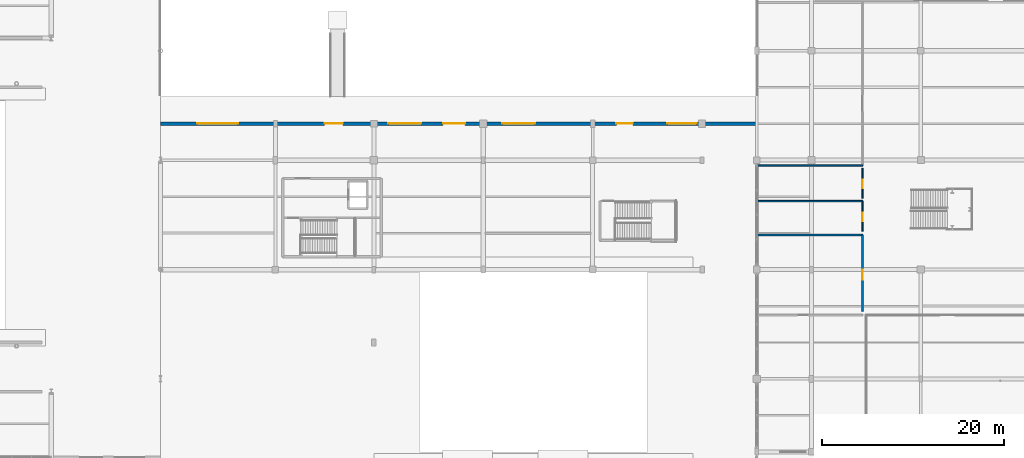
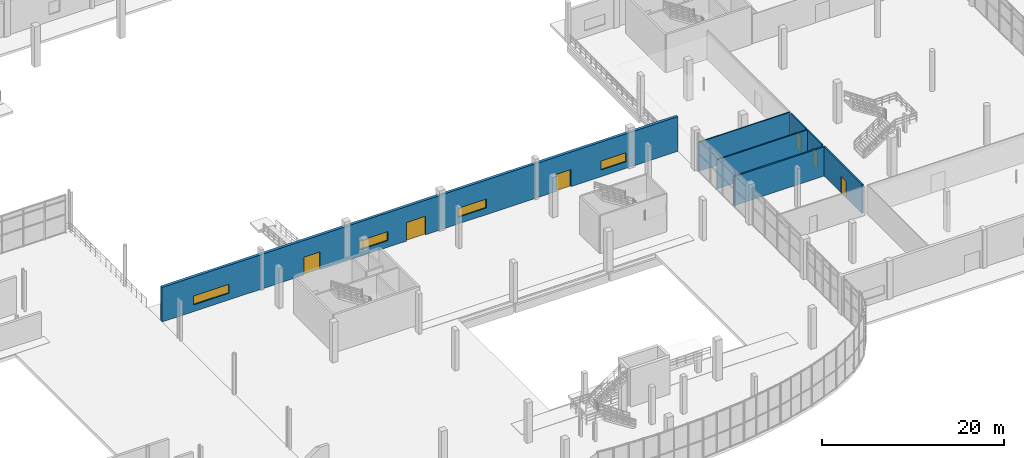
# One storey, part 65 of 85: 7 walls, 6 doors, 4 windows, 10 openings.
"""IFC4 building model written with IfcOpenShell, lengths in metres."""

from ifc_helpers import new_model, si_unit, direction, frame, frame_2d, origin, place, context, subcontext, project, spatial, rectangle, extrude, material, layer, layer_set, type_object, element, fill, save


model = new_model("IFC4")

# Units and contexts
model_context = context("Model", 3, precision=1e-05, world=origin(), true_north=direction((0.0, 1.0)))
body_context = subcontext(model_context, "Body", "Model", "MODEL_VIEW")
ifc_project = project(units=[si_unit("LENGTHUNIT", "METRE"), si_unit("AREAUNIT", "SQUARE_METRE"), si_unit("VOLUMEUNIT", "CUBIC_METRE"), si_unit("PLANEANGLEUNIT", "RADIAN"), si_unit("MASSUNIT", "GRAM", prefix="KILO"), si_unit("THERMODYNAMICTEMPERATUREUNIT", "KELVIN"), si_unit("POWERUNIT", "WATT")], contexts=[model_context])

# Site, building, storey
site_placement = place(None, origin())
site = spatial("IfcSite", under=ifc_project, at=site_placement, CompositionType="ELEMENT")
building_placement = place(site_placement, origin())
building = spatial("IfcBuilding", under=site, at=building_placement, Name="Solmara Park Aquatics Centre", CompositionType="ELEMENT")
storey_placement = place(building_placement, origin())
storey = spatial("IfcBuildingStorey", under=building, at=storey_placement, Name="L00", CompositionType="ELEMENT", Elevation=0.0)

# Wall, openings, doors, windows
ifc_material_1 = material(Name="Insulated Limestone Render Wall", Category="masonry")
ifc_layer_1 = layer(ifc_material_1, 0.35009765625, Name="Insulated Limestone Render Wall")
ifc_layer_set_1 = layer_set([ifc_layer_1], Name="Insulated Limestone Render Wall")
wall_type_1 = type_object("IfcWallType", Name="ARC-WL-EXT350", PredefinedType="SOLIDWALL", material=ifc_layer_set_1)
wall_1_placement = place(storey_placement, frame((96.60009765625, 52.60009765625, 0.0), z_axis=(0.0, 0.0, 1.0), x_axis=(1.0, 0.0, 0.0)))
wall_1 = element("IfcWall", 1, at=wall_1_placement, inside=storey, type_object=wall_type_1, Name="Exterior Facade Wall EW-L00-003", PredefinedType="SOLIDWALL", context=body_context, shape_type="SweptSolid", body=[
    extrude(rectangle(XDim=65.39990234375, YDim=0.35009765625, at=frame_2d((32.699951171875, 0.0))), origin(), (0.0, 0.0, 1.0), 4.639892578125),
])
opening_1_placement = place(wall_1_placement, frame((18.0, 0.0, 0.0)))
opening_1 = element("IfcOpeningElement", 2, at=opening_1_placement, cuts=wall_1, Name="Opening D-02", PredefinedType="OPENING", context=body_context, shape_type="SweptSolid", body=[
    extrude(rectangle(XDim=2.0, YDim=2.39990234375, at=frame_2d((1.0, 1.199951171875))), frame((0.0, 0.18505859375, 0.0), z_axis=(0.0, -1.0, 0.0), x_axis=(1.0, 0.0, 0.0)), (0.0, 0.0, 1.0), 0.3701171875),
])
opening_2_placement = place(wall_1_placement, frame((31.0, 0.0, 0.0)))
opening_2 = element("IfcOpeningElement", 3, at=opening_2_placement, cuts=wall_1, Name="Opening D-01", PredefinedType="OPENING", context=body_context, shape_type="SweptSolid", body=[
    extrude(rectangle(XDim=2.39990234375, YDim=2.5, at=frame_2d((1.199951171875, 1.25))), frame((0.0, 0.18505859375, 0.0), z_axis=(0.0, -1.0, 0.0), x_axis=(1.0, 0.0, 0.0)), (0.0, 0.0, 1.0), 0.3701171875),
])
opening_3_placement = place(wall_1_placement, frame((50.0, 0.0, 0.0)))
opening_3 = element("IfcOpeningElement", 4, at=opening_3_placement, cuts=wall_1, Name="Opening D-03", PredefinedType="OPENING", context=body_context, shape_type="SweptSolid", body=[
    extrude(rectangle(XDim=1.800048828125, YDim=2.300048828125, at=frame_2d((0.89990234375, 1.14990234375))), frame((0.0, 0.18505859375, 0.0), z_axis=(0.0, -1.0, 0.0), x_axis=(1.0, 0.0, 0.0)), (0.0, 0.0, 1.0), 0.3701171875),
])
opening_4_placement = place(wall_1_placement, frame((4.0, 0.0, 0.89990234375)))
opening_4 = element("IfcOpeningElement", 5, at=opening_4_placement, cuts=wall_1, Name="Opening W-01", PredefinedType="OPENING", context=body_context, shape_type="SweptSolid", body=[
    extrude(rectangle(XDim=4.5, YDim=1.199951171875, at=frame_2d((2.25, 0.60009765625))), frame((0.0, 0.18505859375, 0.0), z_axis=(0.0, -1.0, 0.0), x_axis=(1.0, 0.0, 0.0)), (0.0, 0.0, 1.0), 0.3701171875),
])
opening_5_placement = place(wall_1_placement, frame((25.0, 0.0, 0.89990234375)))
opening_5 = element("IfcOpeningElement", 6, at=opening_5_placement, cuts=wall_1, Name="Opening W-03", PredefinedType="OPENING", context=body_context, shape_type="SweptSolid", body=[
    extrude(rectangle(XDim=3.60009765625, YDim=1.199951171875, at=frame_2d((1.800048828125, 0.60009765625))), frame((0.0, 0.18505859375, 0.0), z_axis=(0.0, -1.0, 0.0), x_axis=(1.0, 0.0, 0.0)), (0.0, 0.0, 1.0), 0.3701171875),
])
opening_6_placement = place(wall_1_placement, frame((37.5, 0.0, 0.89990234375)))
opening_6 = element("IfcOpeningElement", 7, at=opening_6_placement, cuts=wall_1, Name="Opening W-03", PredefinedType="OPENING", context=body_context, shape_type="SweptSolid", body=[
    extrude(rectangle(XDim=3.60009765625, YDim=1.199951171875, at=frame_2d((1.800048828125, 0.60009765625))), frame((0.0, 0.18505859375, 0.0), z_axis=(0.0, -1.0, 0.0), x_axis=(1.0, 0.0, 0.0)), (0.0, 0.0, 1.0), 0.3701171875),
])
opening_7_placement = place(wall_1_placement, frame((55.60009765625, 0.0, 0.89990234375)))
opening_7 = element("IfcOpeningElement", 8, at=opening_7_placement, cuts=wall_1, Name="Opening W-04", PredefinedType="OPENING", context=body_context, shape_type="SweptSolid", body=[
    extrude(rectangle(XDim=3.199951171875, YDim=1.199951171875, at=frame_2d((1.60009765625, 0.60009765625))), frame((0.0, 0.18505859375, 0.0), z_axis=(0.0, -1.0, 0.0), x_axis=(1.0, 0.0, 0.0)), (0.0, 0.0, 1.0), 0.3701171875),
])
ifc_material_2 = material(Name="Thermally Broken Powder-Coated Aluminium and Laminated Glass", Category="aluminium")
door_type_1 = type_object("IfcDoorType", Name="ARC-DR-EXT180x230", OperationType="DOUBLE_DOOR_SINGLE_SWING", PredefinedType="DOOR", material=ifc_material_2)
door_1_placement = place(opening_3_placement, origin())
door_1 = element("IfcDoor", 9, at=door_1_placement, inside=storey, type_object=door_type_1, Name="Diving Pavilion ST-09 Final Exit (EX-05)", OperationType="DOUBLE_DOOR_SINGLE_SWING", OverallHeight=2.300048828125, OverallWidth=1.800048828125, PredefinedType="DOOR", context=body_context, shape_type="SweptSolid", body=[
    extrude(rectangle(XDim=1.800048828125, YDim=2.300048828125, at=frame_2d((0.89990234375, 1.14990234375))), frame((0.0, 0.02490234375, 0.0), z_axis=(0.0, -1.0, 0.0), x_axis=(1.0, 0.0, 0.0)), (0.0, 0.0, 1.0), 0.050048828125),
])
fill(opening_3, door_1)
door_type_2 = type_object("IfcDoorType", Name="ARC-DR-EXT200x240", OperationType="DOUBLE_DOOR_SINGLE_SWING", PredefinedType="DOOR", material=ifc_material_2)
door_2_placement = place(opening_1_placement, origin())
door_2 = element("IfcDoor", 10, at=door_2_placement, inside=storey, type_object=door_type_2, Name="Diving Deck Garden Court Exit (EX-03)", OperationType="DOUBLE_DOOR_SINGLE_SWING", OverallHeight=2.39990234375, OverallWidth=2.0, PredefinedType="DOOR", context=body_context, shape_type="SweptSolid", body=[
    extrude(rectangle(XDim=2.0, YDim=2.39990234375, at=frame_2d((1.0, 1.199951171875))), frame((0.0, 0.02490234375, 0.0), z_axis=(0.0, -1.0, 0.0), x_axis=(1.0, 0.0, 0.0)), (0.0, 0.0, 1.0), 0.050048828125),
])
fill(opening_1, door_2)
door_type_3 = type_object("IfcDoorType", Name="ARC-DR-EXT240x250", OperationType="DOUBLE_DOOR_SINGLE_SWING", PredefinedType="DOOR", material=ifc_material_2)
door_3_placement = place(opening_2_placement, origin())
door_3 = element("IfcDoor", 11, at=door_3_placement, inside=storey, type_object=door_type_3, Name="Diving Spectator Concourse North Exit (EX-04)", OperationType="DOUBLE_DOOR_SINGLE_SWING", OverallHeight=2.5, OverallWidth=2.39990234375, PredefinedType="DOOR", context=body_context, shape_type="SweptSolid", body=[
    extrude(rectangle(XDim=2.39990234375, YDim=2.5, at=frame_2d((1.199951171875, 1.25))), frame((0.0, 0.02490234375, 0.0), z_axis=(0.0, -1.0, 0.0), x_axis=(1.0, 0.0, 0.0)), (0.0, 0.0, 1.0), 0.050048828125),
])
fill(opening_2, door_3)
ifc_material_3 = material(Name="Thermally Broken Aluminium and Low-E Double Glazing", Category="aluminium")
window_type_1 = type_object("IfcWindowType", Name="ARC-WN-320x120", PartitioningType="DOUBLE_PANEL_HORIZONTAL", PredefinedType="WINDOW", material=ifc_material_3)
window_1_placement = place(opening_7_placement, origin())
window_1 = element("IfcWindow", 12, at=window_1_placement, inside=storey, type_object=window_type_1, Name="Ribbon Window WN-006", OverallHeight=1.199951171875, OverallWidth=3.199951171875, PartitioningType="DOUBLE_PANEL_HORIZONTAL", PredefinedType="WINDOW", context=body_context, shape_type="SweptSolid", body=[
    extrude(rectangle(XDim=3.199951171875, YDim=1.199951171875, at=frame_2d((1.60009765625, 0.60009765625))), frame((0.0, 0.030029296875, 0.0), z_axis=(0.0, -1.0, 0.0), x_axis=(1.0, 0.0, 0.0)), (0.0, 0.0, 1.0), 0.06005859375),
])
fill(opening_7, window_1)
window_type_2 = type_object("IfcWindowType", Name="ARC-WN-360x120", PartitioningType="TRIPLE_PANEL_HORIZONTAL", PredefinedType="WINDOW", material=ifc_material_3)
window_2_placement = place(opening_5_placement, origin())
window_2 = element("IfcWindow", 13, at=window_2_placement, inside=storey, type_object=window_type_2, Name="Ribbon Window WN-004", OverallHeight=1.199951171875, OverallWidth=3.60009765625, PartitioningType="TRIPLE_PANEL_HORIZONTAL", PredefinedType="WINDOW", context=body_context, shape_type="SweptSolid", body=[
    extrude(rectangle(XDim=3.60009765625, YDim=1.199951171875, at=frame_2d((1.800048828125, 0.60009765625))), frame((0.0, 0.030029296875, 0.0), z_axis=(0.0, -1.0, 0.0), x_axis=(1.0, 0.0, 0.0)), (0.0, 0.0, 1.0), 0.06005859375),
])
fill(opening_5, window_2)
window_3_placement = place(opening_6_placement, origin())
window_3 = element("IfcWindow", 14, at=window_3_placement, inside=storey, type_object=window_type_2, Name="Ribbon Window WN-005", OverallHeight=1.199951171875, OverallWidth=3.60009765625, PartitioningType="TRIPLE_PANEL_HORIZONTAL", PredefinedType="WINDOW", context=body_context, shape_type="SweptSolid", body=[
    extrude(rectangle(XDim=3.60009765625, YDim=1.199951171875, at=frame_2d((1.800048828125, 0.60009765625))), frame((0.0, 0.030029296875, 0.0), z_axis=(0.0, -1.0, 0.0), x_axis=(1.0, 0.0, 0.0)), (0.0, 0.0, 1.0), 0.06005859375),
])
fill(opening_6, window_3)
window_type_3 = type_object("IfcWindowType", Name="ARC-WN-450x120", PartitioningType="TRIPLE_PANEL_HORIZONTAL", PredefinedType="WINDOW", material=ifc_material_3)
window_4_placement = place(opening_4_placement, origin())
window_4 = element("IfcWindow", 15, at=window_4_placement, inside=storey, type_object=window_type_3, Name="Ribbon Window WN-003", OverallHeight=1.199951171875, OverallWidth=4.5, PartitioningType="TRIPLE_PANEL_HORIZONTAL", PredefinedType="WINDOW", context=body_context, shape_type="SweptSolid", body=[
    extrude(rectangle(XDim=4.5, YDim=1.199951171875, at=frame_2d((2.25, 0.60009765625))), frame((0.0, 0.030029296875, 0.0), z_axis=(0.0, -1.0, 0.0), x_axis=(1.0, 0.0, 0.0)), (0.0, 0.0, 1.0), 0.06005859375),
])
fill(opening_4, window_4)

# Wall, opening, door
ifc_material_4 = material(Name="Concrete C25/30 Autoclaved Aerated Fire Blockwork", Category="masonry")
ifc_layer_2 = layer(ifc_material_4, 0.199951171875, Name="Concrete C25/30 Autoclaved Aerated Fire Blockwork")
ifc_layer_set_2 = layer_set([ifc_layer_2], Name="Concrete C25/30 Autoclaved Aerated Fire Blockwork")
wall_type_2 = type_object("IfcWallType", Name="ARC-WL-FIRE200", PredefinedType="SOLIDWALL", material=ifc_layer_set_2)
wall_2_placement = place(storey_placement, frame((173.60009765625, 32.0, 0.0), z_axis=(0.0, 0.0, 1.0), x_axis=(0.0, 1.0, 0.0)))
wall_2 = element("IfcWall", 16, at=wall_2_placement, inside=storey, type_object=wall_type_2, Name="Interior Partition IW-L00-0056 (L00-FCC-01)", PredefinedType="SOLIDWALL", context=body_context, shape_type="SweptSolid", body=[
    extrude(rectangle(XDim=8.39990234375, YDim=0.199951171875, at=frame_2d((4.199951171875, 0.0))), origin(), (0.0, 0.0, 1.0), 3.89990234375),
])
opening_8_placement = place(wall_2_placement, frame((3.5, 0.0, 0.0)))
opening_8 = element("IfcOpeningElement", 17, at=opening_8_placement, cuts=wall_2, Name="Opening D-11", PredefinedType="OPENING", context=body_context, shape_type="SweptSolid", body=[
    extrude(rectangle(XDim=1.10009765625, YDim=2.199951171875, at=frame_2d((0.550048828125, 1.10009765625))), frame((0.0, 0.10986328125, 0.0), z_axis=(0.0, -1.0, 0.0), x_axis=(1.0, 0.0, 0.0)), (0.0, 0.0, 1.0), 0.219970703125),
])
ifc_material_5 = material(Name="Moisture-Resistant HPL & Hardwood", Category="wood")
door_type_4 = type_object("IfcDoorType", Name="ARC-DR-FD110x220", OperationType="NOTDEFINED", PredefinedType="DOOR", material=ifc_material_5)
door_4_placement = place(opening_8_placement, frame((1.10009765625, 0.0, 0.0), z_axis=(0.0, 0.0, 1.0), x_axis=(-1.0, 0.0, 0.0)))
door_4 = element("IfcDoor", 18, at=door_4_placement, inside=storey, type_object=door_type_4, Name="Fire Command Room Door", OperationType="SINGLE_SWING_LEFT", OverallHeight=2.199951171875, OverallWidth=1.10009765625, PredefinedType="DOOR", context=body_context, shape_type="SweptSolid", body=[
    extrude(rectangle(XDim=1.10009765625, YDim=2.199951171875, at=frame_2d((0.550048828125, 1.10009765625))), frame((0.0, 0.02490234375, 0.0), z_axis=(0.0, -1.0, 0.0), x_axis=(1.0, 0.0, 0.0)), (0.0, 0.0, 1.0), 0.050048828125),
])
fill(opening_8, door_4)

# Walls
wall_3_placement = place(storey_placement, frame((162.080078125, 40.39990234375, 0.0), z_axis=(0.0, 0.0, 1.0), x_axis=(1.0, 0.0, 0.0)))
element("IfcWall", 19, at=wall_3_placement, inside=storey, type_object=wall_type_2, Name="Interior Partition IW-L00-0057 (L00-FCC-01)", PredefinedType="SOLIDWALL", context=body_context, shape_type="SweptSolid", body=[
    extrude(rectangle(XDim=11.52001953125, YDim=0.199951171875, at=frame_2d((5.760009765625, 0.0))), origin(), (0.0, 0.0, 1.0), 3.89990234375),
])
ifc_material_6 = material(Name="Cement-Rendered Masonry Partition", Category="masonry")
ifc_layer_3 = layer(ifc_material_6, 0.14990234375, Name="Cement-Rendered Masonry Partition")
ifc_layer_set_3 = layer_set([ifc_layer_3], Name="Cement-Rendered Masonry Partition")
wall_type_3 = type_object("IfcWallType", Name="ARC-WL-MAS150", PredefinedType="PARTITIONING", material=ifc_layer_set_3)
wall_4_placement = place(storey_placement, frame((162.080078125, 48.0, 0.0), z_axis=(0.0, 0.0, 1.0), x_axis=(1.0, 0.0, 0.0)))
element("IfcWall", 20, at=wall_4_placement, inside=storey, type_object=wall_type_3, Name="Interior Partition IW-L00-0055 (L00-COM-01)", PredefinedType="PARTITIONING", context=body_context, shape_type="SweptSolid", body=[
    extrude(rectangle(XDim=11.52001953125, YDim=0.14990234375, at=frame_2d((5.760009765625, 0.0))), origin(), (0.0, 0.0, 1.0), 3.89990234375),
])

# Wall, opening, door
ifc_material_7 = material(Name="Waterproof Tile-Faced Wet-Area Plumbing Wall", Category="concrete")
ifc_layer_4 = layer(ifc_material_7, 0.159912109375, Name="Waterproof Tile-Faced Wet-Area Plumbing Wall")
ifc_layer_set_4 = layer_set([ifc_layer_4], Name="Waterproof Tile-Faced Wet-Area Plumbing Wall")
wall_type_4 = type_object("IfcWallType", Name="ARC-WL-WET160", PredefinedType="PLUMBINGWALL", material=ifc_layer_set_4)
wall_5_placement = place(storey_placement, frame((173.60009765625, 40.800048828125, 0.0), z_axis=(0.0, 0.0, 1.0), x_axis=(0.0, 1.0, 0.0)))
wall_5 = element("IfcWall", 21, at=wall_5_placement, inside=storey, type_object=wall_type_4, Name="Interior Partition IW-L00-0058 (L00-WCM-V3)", PredefinedType="PLUMBINGWALL", context=body_context, shape_type="SweptSolid", body=[
    extrude(rectangle(XDim=3.300048828125, YDim=0.159912109375, at=frame_2d((1.64990234375, 0.0))), origin(), (0.0, 0.0, 1.0), 3.89990234375),
])
opening_9_placement = place(wall_5_placement, frame((1.10009765625, 0.0, 0.0)))
opening_9 = element("IfcOpeningElement", 22, at=opening_9_placement, cuts=wall_5, Name="Opening D-18", PredefinedType="OPENING", context=body_context, shape_type="SweptSolid", body=[
    extrude(rectangle(XDim=0.949951171875, YDim=2.14990234375, at=frame_2d((0.47509765625, 1.074951171875))), frame((0.0, 0.08984375, 0.0), z_axis=(0.0, -1.0, 0.0), x_axis=(1.0, 0.0, 0.0)), (0.0, 0.0, 1.0), 0.179931640625),
])
door_type_5 = type_object("IfcDoorType", Name="ARC-DR-WC95x220", OperationType="NOTDEFINED", PredefinedType="DOOR", material=ifc_material_5)
door_5_placement = place(opening_9_placement, origin())
door_5 = element("IfcDoor", 23, at=door_5_placement, inside=storey, type_object=door_type_5, Name="Foyer Public Male Toilet Door", OperationType="SINGLE_SWING_RIGHT", OverallHeight=2.14990234375, OverallWidth=0.949951171875, PredefinedType="DOOR", context=body_context, shape_type="SweptSolid", body=[
    extrude(rectangle(XDim=0.949951171875, YDim=2.14990234375, at=frame_2d((0.47509765625, 1.074951171875))), frame((0.0, 0.02490234375, 0.0), z_axis=(0.0, -1.0, 0.0), x_axis=(1.0, 0.0, 0.0)), (0.0, 0.0, 1.0), 0.050048828125),
])
fill(opening_9, door_5)

# Wall
wall_6_placement = place(storey_placement, frame((162.080078125, 44.10009765625, 0.0), z_axis=(0.0, 0.0, 1.0), x_axis=(1.0, 0.0, 0.0)))
element("IfcWall", 24, at=wall_6_placement, inside=storey, type_object=wall_type_4, Name="Interior Partition IW-L00-0059 (L00-WCM-V3)", PredefinedType="PLUMBINGWALL", context=body_context, shape_type="SweptSolid", body=[
    extrude(rectangle(XDim=11.52001953125, YDim=0.159912109375, at=frame_2d((5.760009765625, 0.0))), origin(), (0.0, 0.0, 1.0), 3.89990234375),
])

# Wall, opening, door
wall_7_placement = place(storey_placement, frame((173.60009765625, 44.39990234375, 0.0), z_axis=(0.0, 0.0, 1.0), x_axis=(0.0, 1.0, 0.0)))
wall_7 = element("IfcWall", 25, at=wall_7_placement, inside=storey, type_object=wall_type_4, Name="Interior Partition IW-L00-0060 (L00-WCA-V3)", PredefinedType="PLUMBINGWALL", context=body_context, shape_type="SweptSolid", body=[
    extrude(rectangle(XDim=3.300048828125, YDim=0.159912109375, at=frame_2d((1.64990234375, 0.0))), origin(), (0.0, 0.0, 1.0), 3.89990234375),
])
opening_10_placement = place(wall_7_placement, frame((1.10009765625, 0.0, 0.0)))
opening_10 = element("IfcOpeningElement", 26, at=opening_10_placement, cuts=wall_7, Name="Opening D-18", PredefinedType="OPENING", context=body_context, shape_type="SweptSolid", body=[
    extrude(rectangle(XDim=0.949951171875, YDim=2.14990234375, at=frame_2d((0.47509765625, 1.074951171875))), frame((0.0, 0.08984375, 0.0), z_axis=(0.0, -1.0, 0.0), x_axis=(1.0, 0.0, 0.0)), (0.0, 0.0, 1.0), 0.179931640625),
])
door_6_placement = place(opening_10_placement, origin())
door_6 = element("IfcDoor", 27, at=door_6_placement, inside=storey, type_object=door_type_5, Name="Foyer Accessible WC and Baby Change Door", OperationType="SINGLE_SWING_LEFT", OverallHeight=2.14990234375, OverallWidth=0.949951171875, PredefinedType="DOOR", context=body_context, shape_type="SweptSolid", body=[
    extrude(rectangle(XDim=0.949951171875, YDim=2.14990234375, at=frame_2d((0.47509765625, 1.074951171875))), frame((0.0, 0.02490234375, 0.0), z_axis=(0.0, -1.0, 0.0), x_axis=(1.0, 0.0, 0.0)), (0.0, 0.0, 1.0), 0.050048828125),
])
fill(opening_10, door_6)

save(model, "model.ifc")
